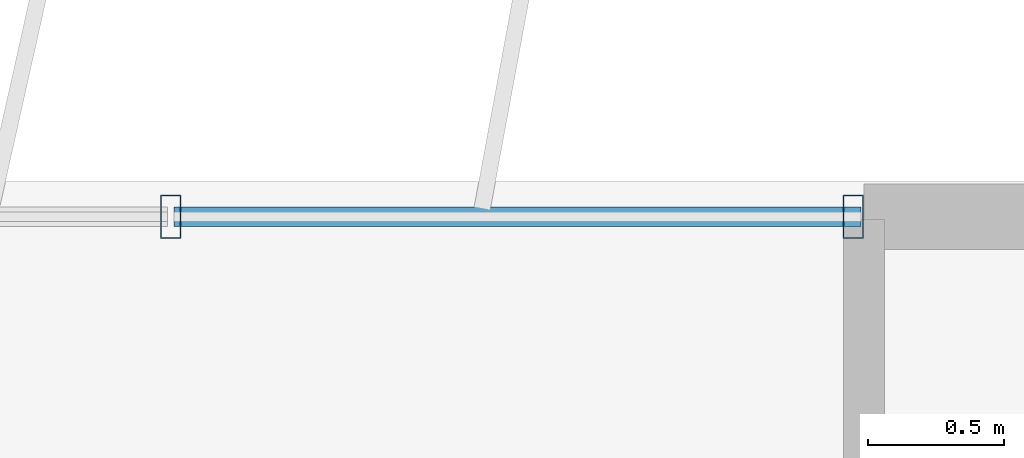
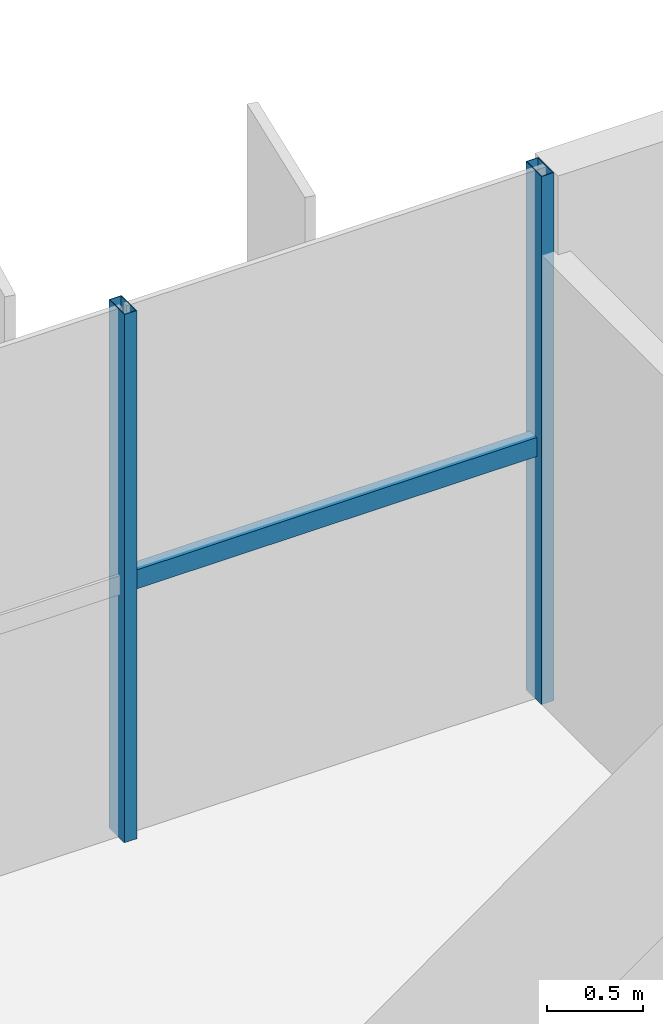
# One storey, part 12 of 20: 3 members, 1 element without a shape of its own.
"""IFC4 building model written with IfcOpenShell, lengths in metres."""

from ifc_helpers import new_model, si_unit, direction, frame, origin, origin_2d, place, context, subcontext, project, spatial, hollow_rectangle, extrude, source, transform, mapped, material, material_profile, profile_set, type_object, element, aggregate, save


model = new_model("IFC4")

# Units and contexts
model_context = context("Model", 3, precision=1e-05, world=origin(), true_north=direction((0.0, 1.0)))
body_context = subcontext(model_context, "Body", "Model", "MODEL_VIEW")
ifc_project = project(units=[si_unit("LENGTHUNIT", "METRE"), si_unit("AREAUNIT", "SQUARE_METRE"), si_unit("VOLUMEUNIT", "CUBIC_METRE"), si_unit("PLANEANGLEUNIT", "RADIAN"), si_unit("MASSUNIT", "GRAM", prefix="KILO")], contexts=[model_context])

# Site, building, storey
site_placement = place(None, origin())
site = spatial("IfcSite", under=ifc_project, at=site_placement, CompositionType="ELEMENT")
building_placement = place(site_placement, origin())
building = spatial("IfcBuilding", under=site, at=building_placement, Name="Trelvane Seafront Commons", CompositionType="ELEMENT")
storey_placement = place(building_placement, frame((0.0, 0.0, 168.10009765625)))
storey = spatial("IfcBuildingStorey", under=building, at=storey_placement, Name="L44", CompositionType="ELEMENT", Elevation=168.10009765625)

# Curtain wall, members
ifc_material = material(Name="Anodised pale-silver aluminium", Category="aluminium")
curtain_wall_type = type_object("IfcCurtainWallType", Name="ARCH-CW5-UPTOWER", PredefinedType="NOTDEFINED", material=ifc_material)
curtain_wall_placement = place(storey_placement, origin())
curtain_wall = element("IfcCurtainWall", 1, at=curtain_wall_placement, inside=storey, type_object=curtain_wall_type, Name="CW-L44-0071", PredefinedType="NOTDEFINED")
ifc_material_profile_1 = material_profile(ifc_material, hollow_rectangle(XDim=0.070068359375, YDim=0.1201171875, WallThickness=0.00390625, at=origin_2d()), Name="TRAN-70x120x4")
ifc_profile_set_1 = profile_set([ifc_material_profile_1], Name="Anodised pale-silver aluminium")
member_type_1 = type_object("IfcMemberType", Name="ARCH-CW-TRAN-120", PredefinedType="USERDEFINED", material=ifc_profile_set_1)
shared_shape_1 = source(origin(), body_context, "Body", "SweptSolid", [
    extrude(hollow_rectangle(XDim=0.070068359375, YDim=0.1201171875, WallThickness=0.00390625, at=origin_2d()), origin(), (0.0, 0.0, 1.0), 2.517333984375),
])
member_1_placement = place(storey_placement, frame((56.270751953125, 48.3701171875, 1.60791015625), z_axis=(1.0, 0.0, 0.0), x_axis=(0.0, 1.0, 0.0)))
member_1 = element("IfcMember", 2, at=member_1_placement, type_object=member_type_1, Name="CW-L44-0071-T16", ObjectType="TRANSOM", PredefinedType="USERDEFINED", context=body_context, shape_type="MappedRepresentation", body=[
    mapped(shared_shape_1, transform((0.0, 0.0, 0.0), x_axis=(1.0, 0.0, 0.0), y_axis=(0.0, 1.0, 0.0), z_axis=(0.0, 0.0, 1.0), scale=1.0)),
])
ifc_material_profile_2 = material_profile(ifc_material, hollow_rectangle(XDim=0.074951171875, YDim=0.159912109375, WallThickness=0.00390625, at=origin_2d()), Name="MULL-75x160x4")
ifc_profile_set_2 = profile_set([ifc_material_profile_2], Name="Anodised pale-silver aluminium")
member_type_2 = type_object("IfcMemberType", Name="ARCH-CW-MULL-160", PredefinedType="MULLION", material=ifc_profile_set_2)
shared_shape_2 = source(origin(), body_context, "Body", "SweptSolid", [
    extrude(hollow_rectangle(XDim=0.074951171875, YDim=0.159912109375, WallThickness=0.00390625, at=origin_2d()), origin(), (0.0, 0.0, 1.0), 3.349853515625),
])
member_2_placement = place(storey_placement, frame((56.2587890625, 48.3701171875, 0.0), z_axis=(0.0, 0.0, 1.0), x_axis=(1.0, 0.0, 0.0)))
member_2 = element("IfcMember", 3, at=member_2_placement, type_object=member_type_2, Name="CW-L44-0071-M16", PredefinedType="MULLION", context=body_context, shape_type="MappedRepresentation", body=[
    mapped(shared_shape_2, transform((0.0, 0.0, 0.0), x_axis=(1.0, 0.0, 0.0), y_axis=(0.0, 1.0, 0.0), z_axis=(0.0, 0.0, 1.0), scale=1.0)),
])
member_3_placement = place(storey_placement, frame((58.760009765625, 48.3701171875, 0.0), z_axis=(0.0, 0.0, 1.0), x_axis=(1.0, 0.0, 0.0)))
member_3 = element("IfcMember", 4, at=member_3_placement, type_object=member_type_2, Name="CW-L44-0071-M17", PredefinedType="MULLION", context=body_context, shape_type="MappedRepresentation", body=[
    mapped(shared_shape_2, transform((0.0, 0.0, 0.0), x_axis=(1.0, 0.0, 0.0), y_axis=(0.0, 1.0, 0.0), z_axis=(0.0, 0.0, 1.0), scale=1.0)),
])
aggregate(curtain_wall, [member_2, member_3, member_1])

save(model, "model.ifc")
